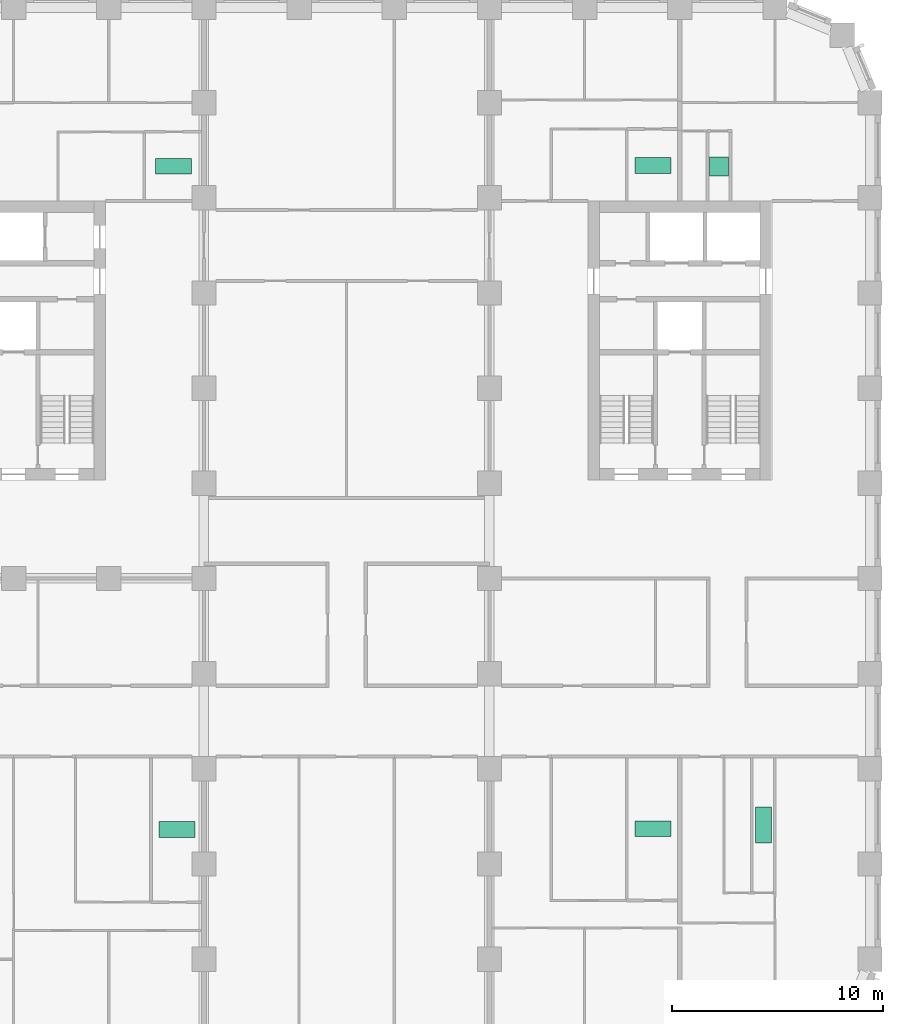
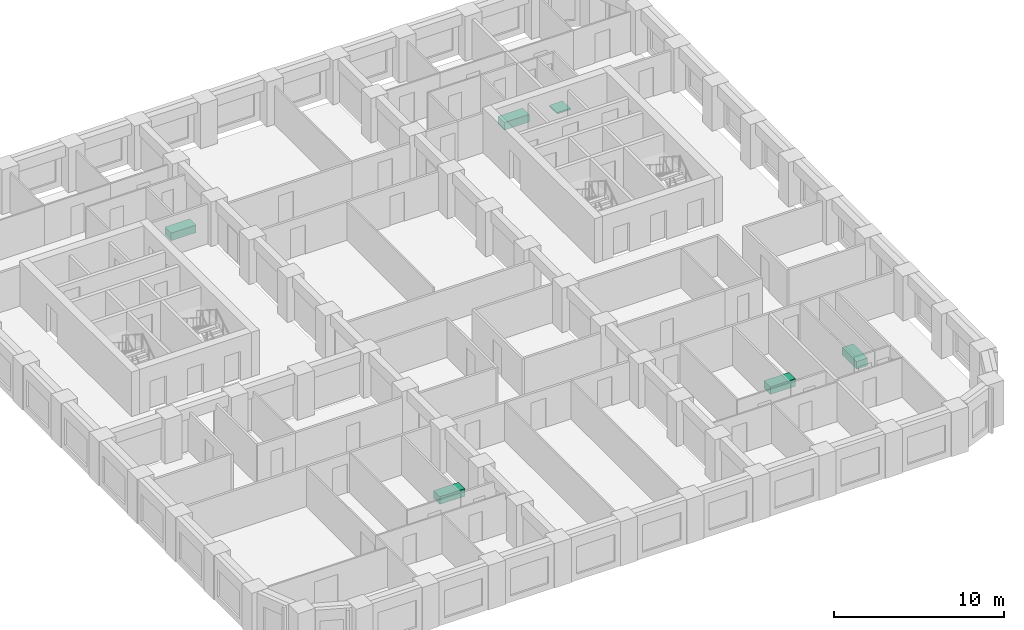
# One storey, part 12 of 12: 6 sanitary terminals.
"""IFC4 building model written with IfcOpenShell, lengths in metres."""

from ifc_helpers import new_model, si_unit, direction, frame, origin, origin_2d, place, context, subcontext, project, spatial, rectangle, extrude, material, type_object, element, save


model = new_model("IFC4")

# Units and contexts
model_context = context("Model", 3, precision=1e-05, world=origin(), true_north=direction((0.0, 1.0)))
body_context = subcontext(model_context, "Body", "Model", "MODEL_VIEW")
ifc_project = project(units=[si_unit("LENGTHUNIT", "METRE"), si_unit("AREAUNIT", "SQUARE_METRE"), si_unit("VOLUMEUNIT", "CUBIC_METRE"), si_unit("PLANEANGLEUNIT", "RADIAN"), si_unit("MASSUNIT", "GRAM", prefix="KILO")], contexts=[model_context])

# Site, building, storey
site_placement = place(None, origin())
site = spatial("IfcSite", under=ifc_project, at=site_placement, CompositionType="ELEMENT")
building_placement = place(site_placement, origin())
building = spatial("IfcBuilding", under=site, at=building_placement, Name="Girih Gate Residences", CompositionType="ELEMENT")
storey_placement = place(building_placement, frame((0.0, 0.0, 121.60009765625)))
storey = spatial("IfcBuildingStorey", under=building, at=storey_placement, Name="L34", CompositionType="ELEMENT", Elevation=121.60009765625)

# Sanitary terminals
ifc_material = material(Name="Acrylic")
sanitary_terminal_type_1 = type_object("IfcSanitaryTerminalType", Name="Bath 1700", PredefinedType="BATH", material=ifc_material)
for number, where, z_axis, x_axis, name in (
    (1, (16.718994140625, 10.62890625, 0.0), (0.0, 0.0, 1.0), (1.0, 0.0, 0.0), "Bath 1700 L34"),
    (2, (16.555908203125, 41.990966796875, 0.0), (0.0, 0.0, 1.0), (1.0, 0.0, 0.0), "Bath 1700 L34"),
):
    element("IfcSanitaryTerminal", number, at=place(storey_placement, frame(where, z_axis=z_axis, x_axis=x_axis)), inside=storey, type_object=sanitary_terminal_type_1, Name=name, PredefinedType="BATH", context=body_context, shape_type="SweptSolid", body=[
        extrude(rectangle(XDim=1.699951171875, YDim=0.75, at=origin_2d()), origin(), (0.0, 0.0, 1.0), 0.550048828125),
    ])
sanitary_terminal_1_placement = place(storey_placement, frame((44.4541015625, 10.84912109375, 0.0), z_axis=(0.0, 0.0, 1.0), x_axis=(1.0, 0.0, 0.0)))
element("IfcSanitaryTerminal", 3, at=sanitary_terminal_1_placement, inside=storey, type_object=sanitary_terminal_type_1, Name="Bath 1700 L34", PredefinedType="BATH", context=body_context, shape_type="SweptSolid", body=[
    extrude(rectangle(XDim=0.75, YDim=1.699951171875, at=origin_2d()), origin(), (0.0, 0.0, 1.0), 0.550048828125),
])
for number, where, z_axis, x_axis, name in (
    (4, (39.22509765625, 10.6689453125, 0.0), (0.0, 0.0, 1.0), (1.0, 0.0, 0.0), "Bath 1700 L34"),
    (5, (39.23095703125, 42.02099609375, 0.0), (0.0, 0.0, 1.0), (1.0, 0.0, 0.0), "Bath 1700 L34"),
):
    element("IfcSanitaryTerminal", number, at=place(storey_placement, frame(where, z_axis=z_axis, x_axis=x_axis)), inside=storey, type_object=sanitary_terminal_type_1, Name=name, PredefinedType="BATH", context=body_context, shape_type="SweptSolid", body=[
        extrude(rectangle(XDim=1.699951171875, YDim=0.75, at=origin_2d()), origin(), (0.0, 0.0, 1.0), 0.550048828125),
    ])
sanitary_terminal_type_2 = type_object("IfcSanitaryTerminalType", Name="Shower tray 900", PredefinedType="SHOWER", material=ifc_material)
sanitary_terminal_2_placement = place(storey_placement, frame((42.35498046875, 41.97412109375, -0.000244140625), z_axis=(0.0, 0.0, 1.0), x_axis=(1.0, 0.0, 0.0)))
element("IfcSanitaryTerminal", 6, at=sanitary_terminal_2_placement, inside=storey, type_object=sanitary_terminal_type_2, Name="Shower tray 900 L34", PredefinedType="SHOWER", context=body_context, shape_type="SweptSolid", body=[
    extrude(rectangle(XDim=0.89990234375, YDim=0.89990234375, at=origin_2d()), origin(), (0.0, 0.0, 1.0), 0.10009765625),
])

save(model, "model.ifc")
